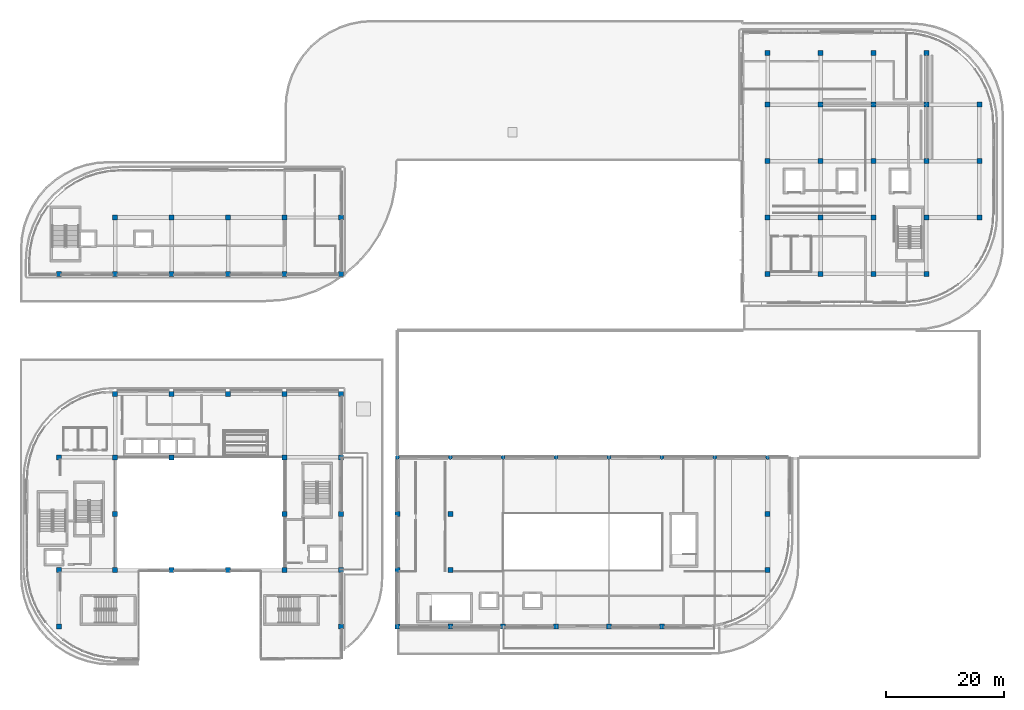
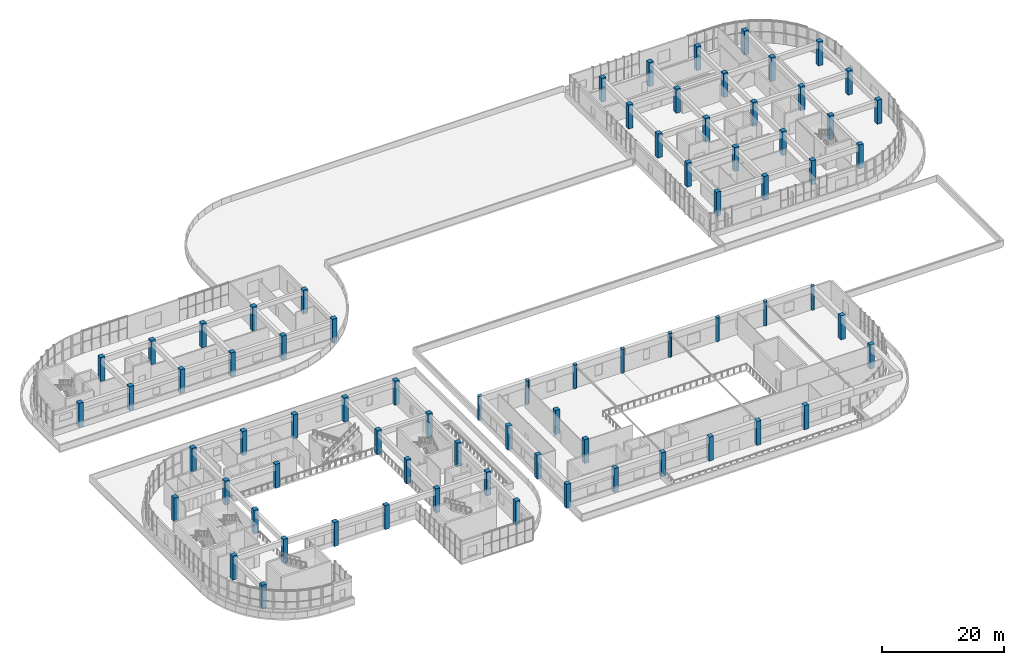
# One storey, part 1 of 67: 75 columns.
"""IFC4 building model written with IfcOpenShell, lengths in metres."""

from ifc_helpers import new_model, si_unit, direction, frame, origin, origin_2d, place, context, subcontext, project, spatial, rectangle, circle, extrude, material, material_profile, profile_set, type_object, element, save


model = new_model("IFC4")

# Units and contexts
model_context = context("Model", 3, precision=1e-05, world=origin(), true_north=direction((0.0, 1.0)))
body_context = subcontext(model_context, "Body", "Model", "MODEL_VIEW")
ifc_project = project(units=[si_unit("LENGTHUNIT", "METRE"), si_unit("AREAUNIT", "SQUARE_METRE"), si_unit("VOLUMEUNIT", "CUBIC_METRE"), si_unit("PLANEANGLEUNIT", "RADIAN"), si_unit("MASSUNIT", "GRAM", prefix="KILO")], contexts=[model_context])

# Site, building, storey
site_placement = place(None, origin())
site = spatial("IfcSite", under=ifc_project, at=site_placement, CompositionType="ELEMENT")
building_placement = place(site_placement, origin())
building = spatial("IfcBuilding", under=site, at=building_placement, Name="Cendralis Terraced Arcade", CompositionType="ELEMENT")
storey_placement = place(building_placement, frame((0.0, 0.0, 15.0)))
storey = spatial("IfcBuildingStorey", under=building, at=storey_placement, Name="L03", CompositionType="ELEMENT", Elevation=15.0)

# Columns
ifc_material = material(Name="Concrete f'c 42 MPa", Category="concrete")
ifc_material_profile_1 = material_profile(ifc_material, rectangle(XDim=0.85009765625, YDim=0.85009765625, at=origin_2d()), Name="RC-COL-850x850", Category="LoadBearing")
ifc_profile_set_1 = profile_set([ifc_material_profile_1], Name="Concrete f'c 42 MPa")
column_type_1 = type_object("IfcColumnType", Name="COL-850", PredefinedType="COLUMN", material=ifc_profile_set_1)
for number, where, z_axis, x_axis, name in (
    (1, (85.199951171875, 9.60009765625, 0.0), (0.0, 0.0, 1.0), (1.0, 0.0, 0.0), "Reinforced Concrete Column 10-B (L03)"),
    (2, (94.199951171875, 9.60009765625, 0.0), (0.0, 0.0, 1.0), (1.0, 0.0, 0.0), "Reinforced Concrete Column 11-B (L03)"),
    (3, (103.199951171875, 9.60009765625, 0.0), (0.0, 0.0, 1.0), (1.0, 0.0, 0.0), "Reinforced Concrete Column 12-B (L03)"),
    (4, (112.199951171875, 9.60009765625, 0.0), (0.0, 0.0, 1.0), (1.0, 0.0, 0.0), "Reinforced Concrete Column 13-B (L03)"),
    (5, (130.199951171875, 19.199951171875, 0.0), (0.0, 0.0, 1.0), (1.0, 0.0, 0.0), "Reinforced Concrete Column 15-C (L03)"),
    (6, (130.199951171875, 28.800048828125, 0.0), (0.0, 0.0, 1.0), (1.0, 0.0, 0.0), "Reinforced Concrete Column 15-D (L03)"),
    (7, (130.199951171875, 69.60009765625, 0.0), (0.0, 0.0, 1.0), (1.0, 0.0, 0.0), "Reinforced Concrete Column 15-H (L03)"),
    (8, (130.199951171875, 79.199951171875, 0.0), (0.0, 0.0, 1.0), (1.0, 0.0, 0.0), "Reinforced Concrete Column 15-J (L03)"),
    (9, (130.199951171875, 88.800048828125, 0.0), (0.0, 0.0, 1.0), (1.0, 0.0, 0.0), "Reinforced Concrete Column 15-K (L03)"),
    (10, (130.199951171875, 98.39990234375, 0.0), (0.0, 0.0, 1.0), (1.0, 0.0, 0.0), "Reinforced Concrete Column 15-L (L03)"),
    (11, (130.199951171875, 107.199951171875, 0.0), (0.0, 0.0, 1.0), (1.0, 0.0, 0.0), "Reinforced Concrete Column 15-M (L03)"),
    (12, (139.199951171875, 69.60009765625, 0.0), (0.0, 0.0, 1.0), (1.0, 0.0, 0.0), "Reinforced Concrete Column 16-H (L03)"),
    (13, (139.199951171875, 79.199951171875, 0.0), (0.0, 0.0, 1.0), (1.0, 0.0, 0.0), "Reinforced Concrete Column 16-J (L03)"),
    (14, (139.199951171875, 88.800048828125, 0.0), (0.0, 0.0, 1.0), (1.0, 0.0, 0.0), "Reinforced Concrete Column 16-K (L03)"),
    (15, (139.199951171875, 98.39990234375, 0.0), (0.0, 0.0, 1.0), (1.0, 0.0, 0.0), "Reinforced Concrete Column 16-L (L03)"),
    (16, (139.199951171875, 107.199951171875, 0.0), (0.0, 0.0, 1.0), (1.0, 0.0, 0.0), "Reinforced Concrete Column 16-M (L03)"),
    (17, (148.199951171875, 69.60009765625, 0.0), (0.0, 0.0, 1.0), (1.0, 0.0, 0.0), "Reinforced Concrete Column 17-H (L03)"),
    (18, (148.199951171875, 79.199951171875, 0.0), (0.0, 0.0, 1.0), (1.0, 0.0, 0.0), "Reinforced Concrete Column 17-J (L03)"),
    (19, (148.199951171875, 88.800048828125, 0.0), (0.0, 0.0, 1.0), (1.0, 0.0, 0.0), "Reinforced Concrete Column 17-K (L03)"),
    (20, (148.199951171875, 98.39990234375, 0.0), (0.0, 0.0, 1.0), (1.0, 0.0, 0.0), "Reinforced Concrete Column 17-L (L03)"),
    (21, (148.199951171875, 107.199951171875, 0.0), (0.0, 0.0, 1.0), (1.0, 0.0, 0.0), "Reinforced Concrete Column 17-M (L03)"),
    (22, (157.199951171875, 69.60009765625, 0.0), (0.0, 0.0, 1.0), (1.0, 0.0, 0.0), "Reinforced Concrete Column 18-H (L03)"),
    (23, (157.199951171875, 79.199951171875, 0.0), (0.0, 0.0, 1.0), (1.0, 0.0, 0.0), "Reinforced Concrete Column 18-J (L03)"),
    (24, (157.199951171875, 88.800048828125, 0.0), (0.0, 0.0, 1.0), (1.0, 0.0, 0.0), "Reinforced Concrete Column 18-K (L03)"),
    (25, (157.199951171875, 98.39990234375, 0.0), (0.0, 0.0, 1.0), (1.0, 0.0, 0.0), "Reinforced Concrete Column 18-L (L03)"),
    (26, (157.199951171875, 107.199951171875, 0.0), (0.0, 0.0, 1.0), (1.0, 0.0, 0.0), "Reinforced Concrete Column 18-M (L03)"),
    (27, (166.199951171875, 79.199951171875, 0.0), (0.0, 0.0, 1.0), (1.0, 0.0, 0.0), "Reinforced Concrete Column 19-J (L03)"),
    (28, (166.199951171875, 88.800048828125, 0.0), (0.0, 0.0, 1.0), (1.0, 0.0, 0.0), "Reinforced Concrete Column 19-K (L03)"),
    (29, (166.199951171875, 98.39990234375, 0.0), (0.0, 0.0, 1.0), (1.0, 0.0, 0.0), "Reinforced Concrete Column 19-L (L03)"),
    (30, (9.60009765625, 9.60009765625, 0.0), (0.0, 0.0, 1.0), (1.0, 0.0, 0.0), "Reinforced Concrete Column 2-B (L03)"),
    (31, (9.60009765625, 19.199951171875, 0.0), (0.0, 0.0, 1.0), (1.0, 0.0, 0.0), "Reinforced Concrete Column 2-C (L03)"),
    (32, (9.60009765625, 38.39990234375, 0.0), (0.0, 0.0, 1.0), (1.0, 0.0, 0.0), "Reinforced Concrete Column 2-E (L03)"),
    (33, (9.60009765625, 69.60009765625, 0.0), (0.0, 0.0, 1.0), (1.0, 0.0, 0.0), "Reinforced Concrete Column 2-H (L03)"),
    (34, (19.199951171875, 19.199951171875, 0.0), (0.0, 0.0, 1.0), (1.0, 0.0, 0.0), "Reinforced Concrete Column 3-C (L03)"),
    (35, (19.199951171875, 28.800048828125, 0.0), (0.0, 0.0, 1.0), (1.0, 0.0, 0.0), "Reinforced Concrete Column 3-D (L03)"),
    (36, (19.199951171875, 38.39990234375, 0.0), (0.0, 0.0, 1.0), (1.0, 0.0, 0.0), "Reinforced Concrete Column 3-E (L03)"),
    (37, (19.199951171875, 49.199951171875, 0.0), (0.0, 0.0, 1.0), (1.0, 0.0, 0.0), "Reinforced Concrete Column 3-F (L03)"),
    (38, (19.199951171875, 69.60009765625, 0.0), (0.0, 0.0, 1.0), (1.0, 0.0, 0.0), "Reinforced Concrete Column 3-H (L03)"),
    (39, (19.199951171875, 79.199951171875, 0.0), (0.0, 0.0, 1.0), (1.0, 0.0, 0.0), "Reinforced Concrete Column 3-J (L03)"),
    (40, (28.800048828125, 19.199951171875, 0.0), (0.0, 0.0, 1.0), (1.0, 0.0, 0.0), "Reinforced Concrete Column 4-C (L03)"),
    (41, (28.800048828125, 38.39990234375, 0.0), (0.0, 0.0, 1.0), (1.0, 0.0, 0.0), "Reinforced Concrete Column 4-E (L03)"),
    (42, (28.800048828125, 49.199951171875, 0.0), (0.0, 0.0, 1.0), (1.0, 0.0, 0.0), "Reinforced Concrete Column 4-F (L03)"),
    (43, (28.800048828125, 69.60009765625, 0.0), (0.0, 0.0, 1.0), (1.0, 0.0, 0.0), "Reinforced Concrete Column 4-H (L03)"),
    (44, (28.800048828125, 79.199951171875, 0.0), (0.0, 0.0, 1.0), (1.0, 0.0, 0.0), "Reinforced Concrete Column 4-J (L03)"),
    (45, (38.39990234375, 19.199951171875, 0.0), (0.0, 0.0, 1.0), (1.0, 0.0, 0.0), "Reinforced Concrete Column 5-C (L03)"),
    (46, (38.39990234375, 49.199951171875, 0.0), (0.0, 0.0, 1.0), (1.0, 0.0, 0.0), "Reinforced Concrete Column 5-F (L03)"),
    (47, (38.39990234375, 69.60009765625, 0.0), (0.0, 0.0, 1.0), (1.0, 0.0, 0.0), "Reinforced Concrete Column 5-H (L03)"),
    (48, (38.39990234375, 79.199951171875, 0.0), (0.0, 0.0, 1.0), (1.0, 0.0, 0.0), "Reinforced Concrete Column 5-J (L03)"),
    (49, (48.0, 19.199951171875, 0.0), (0.0, 0.0, 1.0), (1.0, 0.0, 0.0), "Reinforced Concrete Column 6-C (L03)"),
    (50, (48.0, 28.800048828125, 0.0), (0.0, 0.0, 1.0), (1.0, 0.0, 0.0), "Reinforced Concrete Column 6-D (L03)"),
    (51, (48.0, 38.39990234375, 0.0), (0.0, 0.0, 1.0), (1.0, 0.0, 0.0), "Reinforced Concrete Column 6-E (L03)"),
    (52, (48.0, 49.199951171875, 0.0), (0.0, 0.0, 1.0), (1.0, 0.0, 0.0), "Reinforced Concrete Column 6-F (L03)"),
    (53, (48.0, 69.60009765625, 0.0), (0.0, 0.0, 1.0), (1.0, 0.0, 0.0), "Reinforced Concrete Column 6-H (L03)"),
    (54, (48.0, 79.199951171875, 0.0), (0.0, 0.0, 1.0), (1.0, 0.0, 0.0), "Reinforced Concrete Column 6-J (L03)"),
    (55, (57.60009765625, 9.60009765625, 0.0), (0.0, 0.0, 1.0), (1.0, 0.0, 0.0), "Reinforced Concrete Column 7-B (L03)"),
    (56, (57.60009765625, 19.199951171875, 0.0), (0.0, 0.0, 1.0), (1.0, 0.0, 0.0), "Reinforced Concrete Column 7-C (L03)"),
    (57, (57.60009765625, 28.800048828125, 0.0), (0.0, 0.0, 1.0), (1.0, 0.0, 0.0), "Reinforced Concrete Column 7-D (L03)"),
    (58, (57.60009765625, 38.39990234375, 0.0), (0.0, 0.0, 1.0), (1.0, 0.0, 0.0), "Reinforced Concrete Column 7-E (L03)"),
    (59, (57.60009765625, 49.199951171875, 0.0), (0.0, 0.0, 1.0), (1.0, 0.0, 0.0), "Reinforced Concrete Column 7-F (L03)"),
    (60, (57.60009765625, 69.60009765625, 0.0), (0.0, 0.0, 1.0), (1.0, 0.0, 0.0), "Reinforced Concrete Column 7-H (L03)"),
    (61, (57.60009765625, 79.199951171875, 0.0), (0.0, 0.0, 1.0), (1.0, 0.0, 0.0), "Reinforced Concrete Column 7-J (L03)"),
    (62, (67.199951171875, 9.60009765625, 0.0), (0.0, 0.0, 1.0), (1.0, 0.0, 0.0), "Reinforced Concrete Column 8-B (L03)"),
    (63, (67.199951171875, 19.199951171875, 0.0), (0.0, 0.0, 1.0), (1.0, 0.0, 0.0), "Reinforced Concrete Column 8-C (L03)"),
    (64, (67.199951171875, 28.800048828125, 0.0), (0.0, 0.0, 1.0), (1.0, 0.0, 0.0), "Reinforced Concrete Column 8-D (L03)"),
    (65, (76.199951171875, 9.60009765625, 0.0), (0.0, 0.0, 1.0), (1.0, 0.0, 0.0), "Reinforced Concrete Column 9-B (L03)"),
    (66, (76.199951171875, 19.199951171875, 0.0), (0.0, 0.0, 1.0), (1.0, 0.0, 0.0), "Reinforced Concrete Column 9-C (L03)"),
    (67, (76.199951171875, 28.800048828125, 0.0), (0.0, 0.0, 1.0), (1.0, 0.0, 0.0), "Reinforced Concrete Column 9-D (L03)"),
):
    element("IfcColumn", number, at=place(storey_placement, frame(where, z_axis=z_axis, x_axis=x_axis)), inside=storey, type_object=column_type_1, Name=name, PredefinedType="COLUMN", context=body_context, shape_type="SweptSolid", body=[
        extrude(rectangle(XDim=0.85009765625, YDim=0.85009765625, at=origin_2d()), origin(), (0.0, 0.0, 1.0), 4.800048828125),
    ])
ifc_material_profile_2 = material_profile(ifc_material, circle(Radius=0.35009765625, at=origin_2d()), Name="RC-COL-D700", Category="LoadBearing")
ifc_profile_set_2 = profile_set([ifc_material_profile_2], Name="Concrete f'c 42 MPa")
column_type_2 = type_object("IfcColumnType", Name="COL-D700", PredefinedType="COLUMN", material=ifc_profile_set_2)
for number, where, z_axis, x_axis, name in (
    (68, (85.199951171875, 38.39990234375, 0.0), (0.0, 0.0, 1.0), (1.0, 0.0, 0.0), "Reinforced Concrete Column 10-E (L03)"),
    (69, (94.199951171875, 38.39990234375, 0.0), (0.0, 0.0, 1.0), (1.0, 0.0, 0.0), "Reinforced Concrete Column 11-E (L03)"),
    (70, (103.199951171875, 38.39990234375, 0.0), (0.0, 0.0, 1.0), (1.0, 0.0, 0.0), "Reinforced Concrete Column 12-E (L03)"),
    (71, (112.199951171875, 38.39990234375, 0.0), (0.0, 0.0, 1.0), (1.0, 0.0, 0.0), "Reinforced Concrete Column 13-E (L03)"),
    (72, (121.199951171875, 38.39990234375, 0.0), (0.0, 0.0, 1.0), (1.0, 0.0, 0.0), "Reinforced Concrete Column 14-E (L03)"),
    (73, (130.199951171875, 38.39990234375, 0.0), (0.0, 0.0, 1.0), (1.0, 0.0, 0.0), "Reinforced Concrete Column 15-E (L03)"),
    (74, (67.199951171875, 38.39990234375, 0.0), (0.0, 0.0, 1.0), (1.0, 0.0, 0.0), "Reinforced Concrete Column 8-E (L03)"),
    (75, (76.199951171875, 38.39990234375, 0.0), (0.0, 0.0, 1.0), (1.0, 0.0, 0.0), "Reinforced Concrete Column 9-E (L03)"),
):
    element("IfcColumn", number, at=place(storey_placement, frame(where, z_axis=z_axis, x_axis=x_axis)), inside=storey, type_object=column_type_2, Name=name, PredefinedType="COLUMN", context=body_context, shape_type="SweptSolid", body=[
        extrude(circle(Radius=0.35009765625, at=origin_2d()), origin(), (0.0, 0.0, 1.0), 4.800048828125),
    ])

save(model, "model.ifc")
